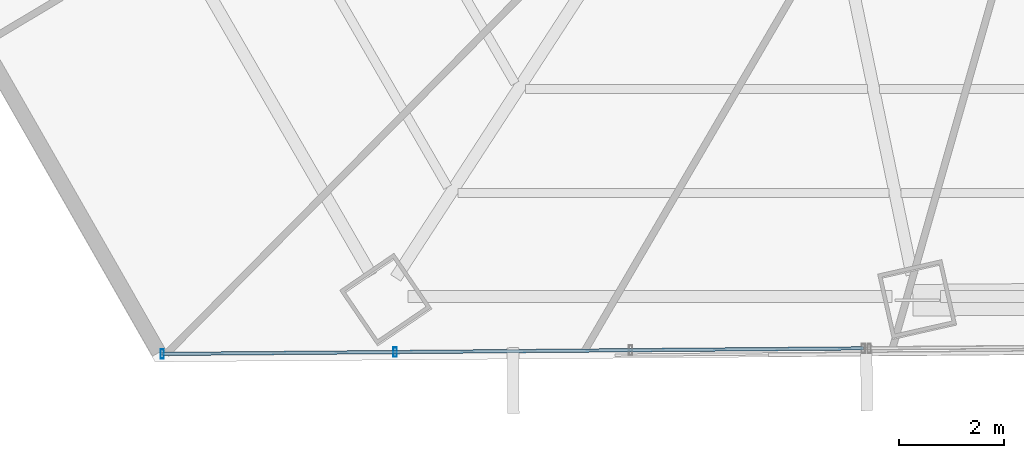
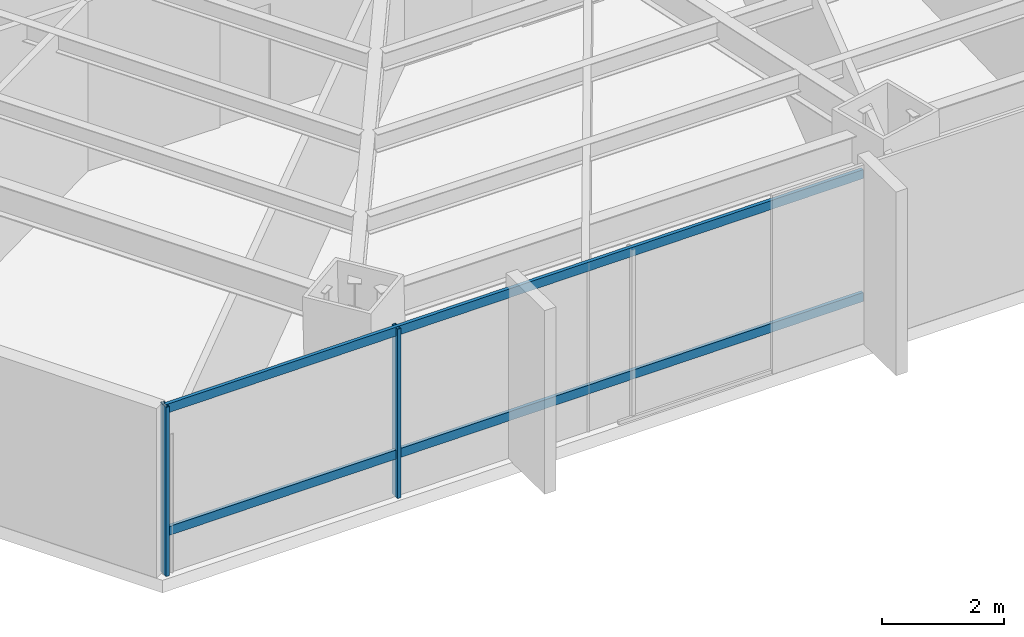
# One storey, part 4 of 36: 4 members, 1 element without a shape of its own.
"""IFC4 building model written with IfcOpenShell, lengths in metres."""

from ifc_helpers import new_model, si_unit, direction, frame, origin, origin_2d, place, context, subcontext, project, spatial, hollow_rectangle, extrude, source, transform, mapped, material, material_profile, profile_set, type_object, type_shapes, element, aggregate, save


model = new_model("IFC4")

# Units and contexts
model_context = context("Model", 3, precision=1e-05, world=origin(), true_north=direction((0.0, 1.0)))
body_context = subcontext(model_context, "Body", "Model", "MODEL_VIEW")
ifc_project = project(units=[si_unit("LENGTHUNIT", "METRE"), si_unit("AREAUNIT", "SQUARE_METRE"), si_unit("VOLUMEUNIT", "CUBIC_METRE"), si_unit("PLANEANGLEUNIT", "RADIAN"), si_unit("MASSUNIT", "GRAM", prefix="KILO")], contexts=[model_context])

# Site, building, storey
site_placement = place(None, origin())
site = spatial("IfcSite", under=ifc_project, at=site_placement, CompositionType="ELEMENT")
building_placement = place(site_placement, origin())
building = spatial("IfcBuilding", under=site, at=building_placement, Name="Caelisora Broadcast Tower", CompositionType="ELEMENT")
storey_placement = place(building_placement, frame((0.0, 0.0, 64.10009765625)))
storey = spatial("IfcBuildingStorey", under=building, at=storey_placement, Name="L16", CompositionType="ELEMENT", Elevation=64.10009765625)

# Curtain wall, members
ifc_material_1 = material(Name="Unitised Aluminium and Low-E Glass Curtain Wall", Category="glass")
curtain_wall_type = type_object("IfcCurtainWallType", Name="CW-Z1", PredefinedType="NOTDEFINED", material=ifc_material_1)
curtain_wall_placement = place(storey_placement, origin())
curtain_wall = element("IfcCurtainWall", 1, at=curtain_wall_placement, inside=storey, type_object=curtain_wall_type, Name="L16 curtain wall CW-Z1", PredefinedType="NOTDEFINED")
ifc_material_2 = material(Name="Aluminium 6063-T6 Anodised Terracotta Bronze", Category="aluminium")
ifc_material_profile_1 = material_profile(ifc_material_2, hollow_rectangle(XDim=0.06494140625, YDim=0.179931640625, WallThickness=0.00341796875, at=origin_2d()), Name="Aluminium 6063-T6 Anodised Terracotta Bronze")
ifc_profile_set_1 = profile_set([ifc_material_profile_1], Name="Aluminium 6063-T6 Anodised Terracotta Bronze")
member_type_1 = type_object("IfcMemberType", Name="CWM-02", PredefinedType="MULLION", material=ifc_profile_set_1)
shared_shape_1 = source(origin(), body_context, "Body", "SweptSolid", [
    extrude(hollow_rectangle(XDim=0.06494140625, YDim=0.179931640625, WallThickness=0.00341796875, at=origin_2d()), origin(), (0.0, 0.0, 1.0), 3.39990234375),
])
type_shapes(member_type_1, [shared_shape_1])
member_1_placement = place(storey_placement, frame((23.044677734375, 4.53857421875, 0.0), z_axis=(0.0, 0.0, 1.0), x_axis=(1.0, 0.0, 0.0)))
member_1 = element("IfcMember", 2, at=member_1_placement, type_object=member_type_1, Name="L16-CW-B07 mullion #2", PredefinedType="MULLION", context=body_context, shape_type="MappedRepresentation", body=[
    mapped(shared_shape_1, transform((0.0, 0.0, 0.0), scale=1.0)),
])
member_2_placement = place(storey_placement, frame((18.6240234375, 4.50341796875, 0.0), z_axis=(0.0, 0.0, 1.0), x_axis=(1.0, 0.0, 0.0)))
member_2 = element("IfcMember", 3, at=member_2_placement, type_object=member_type_1, Name="L16-CW-B07 mullion #3", PredefinedType="MULLION", context=body_context, shape_type="MappedRepresentation", body=[
    mapped(shared_shape_1, transform((0.0, 0.0, 0.0), scale=1.0)),
])
ifc_material_profile_2 = material_profile(ifc_material_2, hollow_rectangle(XDim=0.06494140625, YDim=0.179931640625, WallThickness=0.00341796875, at=origin_2d()), Name="Aluminium 6063-T6 Anodised Terracotta Bronze")
ifc_profile_set_2 = profile_set([ifc_material_profile_2], Name="Aluminium 6063-T6 Anodised Terracotta Bronze")
member_type_2 = type_object("IfcMemberType", Name="CWT-01", PredefinedType="USERDEFINED", material=ifc_profile_set_2)
shared_shape_2 = source(origin(), body_context, "Body", "SweptSolid", [
    extrude(hollow_rectangle(XDim=0.06494140625, YDim=0.179931640625, WallThickness=0.00341796875, at=origin_2d()), origin(), (0.0, 0.0, 1.0), 13.312255859375),
])
type_shapes(member_type_2, [shared_shape_2])
member_3_placement = place(storey_placement, frame((31.935791015625, 4.609130859375, 0.849853515625), z_axis=(-0.999968469279, -0.00794106093, 0.0), x_axis=(0.00794106093, -0.999968469279, 0.0)))
member_3 = element("IfcMember", 4, at=member_3_placement, type_object=member_type_2, Name="L16-CW-B07 transom #1", ObjectType="TRANSOM", PredefinedType="USERDEFINED", context=body_context, shape_type="MappedRepresentation", body=[
    mapped(shared_shape_2, transform((0.0, 0.0, 0.0), scale=1.0)),
])
member_4_placement = place(storey_placement, frame((31.935791015625, 4.609130859375, 3.31982421875), z_axis=(-0.999968469279, -0.00794106093, 0.0), x_axis=(0.00794106093, -0.999968469279, 0.0)))
member_4 = element("IfcMember", 5, at=member_4_placement, type_object=member_type_2, Name="L16-CW-B07 transom #2", ObjectType="TRANSOM", PredefinedType="USERDEFINED", context=body_context, shape_type="MappedRepresentation", body=[
    mapped(shared_shape_2, transform((0.0, 0.0, 0.0), scale=1.0)),
])
aggregate(curtain_wall, [member_1, member_2, member_3, member_4])

save(model, "model.ifc")
